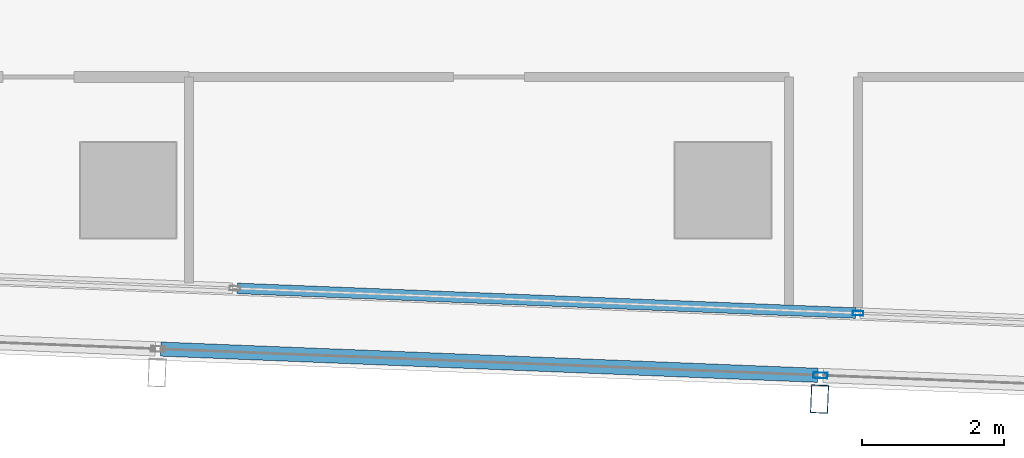
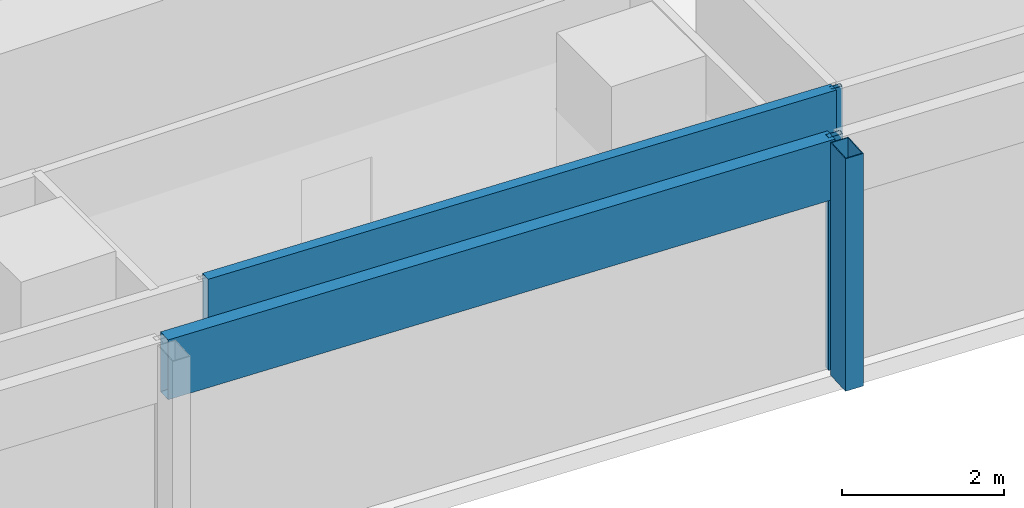
# One storey, part 7 of 38: 5 members, 2 elements without a shape of their own.
"""IFC4 building model written with IfcOpenShell, lengths in metres."""

import ifcopenshell
import ifcopenshell.guid

model = None  # the IFC model being written
_history = None  # IfcOwnerHistory: only IFC2X3 demands one
_inside = {}  # id of a spatial element -> (the spatial element, [elements in it])
_under = {}  # id of a project, library or spatial element -> (it, [spatial elements below it])
_declared = {}  # id of a project -> (the project, [libraries it declares])
_typed = {}  # id of a type object -> (the type object, [elements of that type])
_made_of = {}  # id of a material, layer set ... -> (it, [elements and type objects made of it])


def new_model(schema):
    """Start an empty IFC model of exactly this schema.

    Asked for "IFC4X3", IfcOpenShell would pick the latest addendum, in which some entities
    have other attributes; the version numbers below select the first issue.
    IFC2X3 requires an IfcOwnerHistory on every rooted entity: one is made here for all.
    """
    global model, _history
    if schema == "IFC4X3":
        model = ifcopenshell.file(schema_version=(4, 3, 0, 0))
    else:
        model = ifcopenshell.file(schema=schema)
    _inside.clear()
    _under.clear()
    _declared.clear()
    _typed.clear()
    _made_of.clear()
    _history = None
    if model.schema == "IFC2X3":
        org = make("IfcOrganization", Name="unknown")
        user = make(
            "IfcPersonAndOrganization",
            ThePerson=make("IfcPerson", FamilyName="unknown"),
            TheOrganization=org,
        )
        app = make(
            "IfcApplication",
            ApplicationDeveloper=org,
            Version="unknown",
            ApplicationFullName="unknown",
            ApplicationIdentifier="unknown",
        )
        _history = make(
            "IfcOwnerHistory",
            OwningUser=user,
            OwningApplication=app,
            ChangeAction="ADDED",
            CreationDate=0,
        )
    return model


def make(cls, **values):
    """One entity of the class cls with the attributes given. An attribute that is None is left unset."""
    return model.create_entity(
        cls, **{name: value for name, value in values.items() if value is not None}
    )


def rooted(cls, **values):
    """An entity with a GlobalId (a new one), such as an element, a storey or a relation."""
    return make(cls, GlobalId=ifcopenshell.guid.new(), OwnerHistory=_history, **values)


def si_unit(unit_type, name, prefix=None):
    """IfcSIUnit, for example si_unit("LENGTHUNIT", "METRE", prefix="MILLI")."""
    return make("IfcSIUnit", UnitType=unit_type, Prefix=prefix, Name=name)


def assignment(units):
    """IfcUnitAssignment: the units of a project."""
    return None if units is None else make("IfcUnitAssignment", Units=units)


def point(xyz):
    """IfcCartesianPoint."""
    return None if xyz is None else make("IfcCartesianPoint", Coordinates=xyz)


def direction(xyz):
    """IfcDirection."""
    return None if xyz is None else make("IfcDirection", DirectionRatios=xyz)


def frame(location, z_axis=None, x_axis=None):
    """IfcAxis2Placement3D, a coordinate frame: its origin and axes. An axis left out is left unset."""
    return make(
        "IfcAxis2Placement3D",
        Location=point(location),
        Axis=direction(z_axis),
        RefDirection=direction(x_axis),
    )


def frame_2d(location, x_axis=None):
    """IfcAxis2Placement2D, a coordinate frame in the plane: its origin and x axis."""
    return make(
        "IfcAxis2Placement2D", Location=point(location), RefDirection=direction(x_axis)
    )


def origin():
    """The frame at (0, 0, 0) with its axes left unset."""
    return frame((0.0, 0.0, 0.0))


def origin_2d():
    """The frame at (0, 0) in the plane with its x axis left unset."""
    return frame_2d((0.0, 0.0))


def place(relative_to, where):
    """IfcLocalPlacement: puts the frame where relative to a parent placement (None: the world)."""
    return make(
        "IfcLocalPlacement", PlacementRelTo=relative_to, RelativePlacement=where
    )


def context(
    kind, dimensions, precision=None, world=None, true_north=None, identifier=None
):
    """IfcGeometricRepresentationContext, for example the 3D "Model" context."""
    return make(
        "IfcGeometricRepresentationContext",
        ContextIdentifier=identifier,
        ContextType=kind,
        CoordinateSpaceDimension=dimensions,
        Precision=precision,
        WorldCoordinateSystem=world,
        TrueNorth=true_north,
    )


def subcontext(parent, identifier, kind, view, scale=None):
    """IfcGeometricRepresentationSubContext, for example "Body" below "Model"."""
    return make(
        "IfcGeometricRepresentationSubContext",
        ContextIdentifier=identifier,
        ContextType=kind,
        ParentContext=parent,
        TargetScale=scale,
        TargetView=view,
    )


def project(units=None, contexts=None):
    """IfcProject with its units and contexts."""
    return rooted(
        "IfcProject",
        Name="project",
        RepresentationContexts=contexts,
        UnitsInContext=assignment(units),
    )


def spatial(cls, under=None, at=None, **own):
    """A site, building, storey or space (cls), placed at a placement, below another one or the project."""
    s = rooted(cls, ObjectPlacement=at, **own)
    if under is not None:
        _under.setdefault(under.id(), (under, []))[1].append(s)
    return s


def profile(cls, at=None, kind="AREA", **sizes):
    """A parametric profile (cls). Its sizes go by their IFC names, for example OverallWidth=200.0."""
    return make(cls, ProfileType=kind, Position=at, **sizes)


def hollow_rectangle(**sizes):
    """IfcRectangleHollowProfileDef."""
    return profile("IfcRectangleHollowProfileDef", **sizes)


def extrude(swept, where, along, depth):
    """IfcExtrudedAreaSolid: the profile swept, set in the frame where, extruded along a direction by depth."""
    return make(
        "IfcExtrudedAreaSolid",
        SweptArea=swept,
        Position=where,
        ExtrudedDirection=direction(along),
        Depth=depth,
    )


def shape(context_of_items, identifier, shape_type, items):
    """IfcShapeRepresentation: the items that make up one representation, for example the "Body"."""
    return make(
        "IfcShapeRepresentation",
        ContextOfItems=context_of_items,
        RepresentationIdentifier=identifier,
        RepresentationType=shape_type,
        Items=items,
    )


def material(Name=None, Category=None):
    """IfcMaterial."""
    return make("IfcMaterial", Name=Name, Category=Category)


def material_profile(
    of_material, cross_section, Name=None, Category=None, Priority=None
):
    """IfcMaterialProfile: a cross section and its material."""
    return make(
        "IfcMaterialProfile",
        Name=Name,
        Material=of_material,
        Profile=cross_section,
        Priority=Priority,
        Category=Category,
    )


def profile_set(profiles, Name=None, composite=None):
    """IfcMaterialProfileSet."""
    return make(
        "IfcMaterialProfileSet",
        Name=Name,
        MaterialProfiles=profiles,
        CompositeProfile=composite,
    )


def made_of(thing, what):
    """Note that an element or type object is made of a material, layer set ...; save() writes the relation."""
    if what is not None:
        _made_of.setdefault(what.id(), (what, []))[1].append(thing)
    return thing


def type_object(cls, material=None, **own):
    """A type object (cls), such as IfcWallType, which elements share."""
    return made_of(rooted(cls, **own), material)


def element(
    cls,
    number,
    at=None,
    inside=None,
    cuts=None,
    type_object=None,
    material=None,
    context=None,
    identifier="Body",
    shape_type=None,
    held_by="IfcProductDefinitionShape",
    body=None,
    shapes=None,
    **own,
):
    """One element of the class cls, such as IfcWall. Its Tag is "e" and its number.

    at: its placement. inside: the storey or other place that contains it. cuts: it is an
    opening in that element (IfcRelVoidsElement). A single representation is given by context,
    identifier, shape_type and body (its items); several are given by shapes. held_by: the class
    of the entity that holds the representations. save() writes the other relations.
    """
    e = rooted(cls, Tag="e%d" % number, ObjectPlacement=at, **own)
    if body is not None:
        shapes = [shape(context, identifier, shape_type, body)]
    if shapes is not None:
        e.Representation = make(held_by, Representations=shapes)
    if inside is not None:
        _inside.setdefault(inside.id(), (inside, []))[1].append(e)
    if cuts is not None:
        rooted(
            "IfcRelVoidsElement", RelatingBuildingElement=cuts, RelatedOpeningElement=e
        )
    if type_object is not None:
        _typed.setdefault(type_object.id(), (type_object, []))[1].append(e)
    return made_of(e, material)


def aggregate(whole, parts):
    """IfcRelAggregates: a whole, such as a stair, and the parts it consists of."""
    return rooted("IfcRelAggregates", RelatingObject=whole, RelatedObjects=parts)


def save(model, path):
    """Write the relations noted so far, then the file.

    IfcRelAggregates (storeys below a building ...), IfcRelContainedInSpatialStructure (elements
    in a storey), IfcRelDefinesByType, IfcRelAssociatesMaterial and IfcRelDeclares: one each for
    every whole, place, type object, material and project.
    """
    for whole, parts in _under.values():
        aggregate(whole, parts)
    for where, things in _inside.values():
        rooted(
            "IfcRelContainedInSpatialStructure",
            RelatedElements=things,
            RelatingStructure=where,
        )
    for kind, things in _typed.values():
        rooted("IfcRelDefinesByType", RelatedObjects=things, RelatingType=kind)
    for what, things in _made_of.values():
        rooted("IfcRelAssociatesMaterial", RelatedObjects=things, RelatingMaterial=what)
    for by, libraries in _declared.values():
        rooted("IfcRelDeclares", RelatingContext=by, RelatedDefinitions=libraries)
    model.write(path)


model = new_model("IFC4")

# Units and contexts
model_context = context("Model", 3, precision=1e-05, world=origin(), true_north=direction((0.0, 1.0)))
body_context = subcontext(model_context, "Body", "Model", "MODEL_VIEW")
ifc_project = project(units=[si_unit("LENGTHUNIT", "METRE"), si_unit("AREAUNIT", "SQUARE_METRE"), si_unit("VOLUMEUNIT", "CUBIC_METRE"), si_unit("PLANEANGLEUNIT", "RADIAN"), si_unit("MASSUNIT", "GRAM", prefix="KILO")], contexts=[model_context])

# Site, building, storey
site_placement = place(None, origin())
site = spatial("IfcSite", under=ifc_project, at=site_placement, CompositionType="ELEMENT")
building_placement = place(site_placement, origin())
building = spatial("IfcBuilding", under=site, at=building_placement, Name="Rekha Terrace Tower", CompositionType="ELEMENT")
storey_placement = place(building_placement, frame((0.0, 0.0, 198.949951171875)))
storey = spatial("IfcBuildingStorey", under=building, at=storey_placement, Name="L50", CompositionType="ELEMENT", Elevation=198.949951171875)

# Curtain wall, member
ifc_material_1 = material(Name="Aluminium framing", Category="aluminium")
curtain_wall_type_1 = type_object("IfcCurtainWallType", Name="CW2 double skin outer glazing", PredefinedType="USERDEFINED", material=ifc_material_1)
curtain_wall_1_placement = place(storey_placement, origin())
curtain_wall_1 = element("IfcCurtainWall", 1, at=curtain_wall_1_placement, inside=storey, type_object=curtain_wall_type_1, Name="CW2 double skin outer glazing", ObjectType="DOUBLE SKIN OUTER GLAZING", PredefinedType="USERDEFINED")
ifc_material_2 = material(Name="Steel S355 with fluorocarbon finish", Category="steel")
ifc_material_profile_1 = material_profile(ifc_material_2, hollow_rectangle(XDim=0.25, YDim=0.39990234375, WallThickness=0.012451171875, at=origin_2d()), Name="RHS400x250x12.5")
ifc_profile_set_1 = profile_set([ifc_material_profile_1], Name="Steel S355 with fluorocarbon finish")
member_type_1 = type_object("IfcMemberType", Name="BL1 facade blade RHS 400 x 250", PredefinedType="USERDEFINED", material=ifc_profile_set_1)
member_1_placement = place(storey_placement, frame((34.9638671875, 13.84912109375, 0.0), z_axis=(0.0, 0.0, 1.0), x_axis=(0.999204797763, -0.039871946621, 0.0)))
member_1 = element("IfcMember", 2, at=member_1_placement, type_object=member_type_1, Name="Facade blade", ObjectType="FACADE BLADE", PredefinedType="USERDEFINED", context=body_context, shape_type="SweptSolid", body=[
    extrude(hollow_rectangle(XDim=0.25, YDim=0.39990234375, WallThickness=0.012451171875, at=origin_2d()), origin(), (0.0, 0.0, 1.0), 3.5),
])

# Curtain wall, members
curtain_wall_type_2 = type_object("IfcCurtainWallType", Name="CW1 double skin inner glazing", PredefinedType="USERDEFINED", material=ifc_material_1)
curtain_wall_2_placement = place(storey_placement, origin())
curtain_wall_2 = element("IfcCurtainWall", 3, at=curtain_wall_2_placement, inside=storey, type_object=curtain_wall_type_2, Name="CW1 double skin inner glazing", ObjectType="DOUBLE SKIN INNER GLAZING", PredefinedType="USERDEFINED")
ifc_material_3 = material(Name="Aluminium mullion section", Category="aluminium")
ifc_material_profile_2 = material_profile(ifc_material_3, hollow_rectangle(XDim=0.06494140625, YDim=0.14990234375, WallThickness=0.00390625, at=origin_2d()), Name="AL RHS 65x150")
ifc_profile_set_2 = profile_set([ifc_material_profile_2], Name="Aluminium mullion section")
member_type_2 = type_object("IfcMemberType", Name="CW1 mullion RHS 65 x 150", PredefinedType="MULLION", material=ifc_profile_set_2)
member_2_placement = place(storey_placement, frame((35.507568359375, 15.063232421875, 0.0), z_axis=(0.0, 0.0, 1.0), x_axis=(0.039872497061, 0.999204775798, 0.0)))
member_2 = element("IfcMember", 4, at=member_2_placement, type_object=member_type_2, Name="CW1 mullion 4", PredefinedType="MULLION", context=body_context, shape_type="SweptSolid", body=[
    extrude(hollow_rectangle(XDim=0.06494140625, YDim=0.14990234375, WallThickness=0.00390625, at=origin_2d()), origin(), (0.0, 0.0, 1.0), 3.5),
])
ifc_material_4 = material(Name="Insulated aluminium spandrel box", Category="aluminium")
ifc_material_profile_3 = material_profile(ifc_material_4, hollow_rectangle(XDim=0.14990234375, YDim=0.89990234375, WallThickness=0.0029296875, at=origin_2d()), Name="AL SPANDREL BOX 150x900")
ifc_profile_set_3 = profile_set([ifc_material_profile_3], Name="Insulated aluminium spandrel box")
member_type_3 = type_object("IfcMemberType", Name="CW1 spandrel transom 150 x 900", PredefinedType="USERDEFINED", material=ifc_profile_set_3)
member_3_placement = place(storey_placement, frame((26.73583984375, 15.413330078125, 3.050048828125), z_axis=(0.999205233714, -0.039861020051, 0.0), x_axis=(0.039861020051, 0.999205233714, 0.0)))
member_3 = element("IfcMember", 5, at=member_3_placement, type_object=member_type_3, Name="CW1 spandrel transom 3", ObjectType="TRANSOM", PredefinedType="USERDEFINED", context=body_context, shape_type="SweptSolid", body=[
    extrude(hollow_rectangle(XDim=0.14990234375, YDim=0.89990234375, WallThickness=0.0029296875, at=origin_2d()), origin(), (0.0, 0.0, 1.0), 8.74609375),
])
aggregate(curtain_wall_2, [member_2, member_3])

# Member
ifc_material_profile_4 = material_profile(ifc_material_3, hollow_rectangle(XDim=0.080078125, YDim=0.199951171875, WallThickness=0.00390625, at=origin_2d()), Name="AL RHS 80x200")
ifc_profile_set_4 = profile_set([ifc_material_profile_4], Name="Aluminium mullion section")
member_type_4 = type_object("IfcMemberType", Name="CW2 mullion RHS 80 x 200", PredefinedType="MULLION", material=ifc_profile_set_4)
member_4_placement = place(storey_placement, frame((34.97705078125, 14.183837890625, 0.0), z_axis=(0.0, 0.0, 1.0), x_axis=(0.039872497044, 0.999204775799, 0.0)))
member_4 = element("IfcMember", 6, at=member_4_placement, type_object=member_type_4, Name="CW2 mullion 4", PredefinedType="MULLION", context=body_context, shape_type="SweptSolid", body=[
    extrude(hollow_rectangle(XDim=0.080078125, YDim=0.199951171875, WallThickness=0.00390625, at=origin_2d()), origin(), (0.0, 0.0, 1.0), 3.5),
])

ifc_material_profile_5 = material_profile(ifc_material_4, hollow_rectangle(XDim=0.199951171875, YDim=0.89990234375, WallThickness=0.0029296875, at=origin_2d()), Name="AL SPANDREL BOX 200x900")
ifc_profile_set_5 = profile_set([ifc_material_profile_5], Name="Insulated aluminium spandrel box")
member_type_5 = type_object("IfcMemberType", Name="CW2 spandrel transom 200 x 900", PredefinedType="USERDEFINED", material=ifc_profile_set_5)
member_5_placement = place(storey_placement, frame((25.658447265625, 14.5556640625, 3.050048828125), z_axis=(0.999204356934, -0.039882992408, 0.0), x_axis=(0.039882992408, 0.999204356934, 0.0)))
member_5 = element("IfcMember", 7, at=member_5_placement, type_object=member_type_5, Name="CW2 spandrel transom 3", ObjectType="TRANSOM", PredefinedType="USERDEFINED", context=body_context, shape_type="SweptSolid", body=[
    extrude(hollow_rectangle(XDim=0.199951171875, YDim=0.89990234375, WallThickness=0.0029296875, at=origin_2d()), origin(), (0.0, 0.0, 1.0), 9.2861328125),
])

aggregate(curtain_wall_1, [member_4, member_5, member_1])

save(model, "model.ifc")
